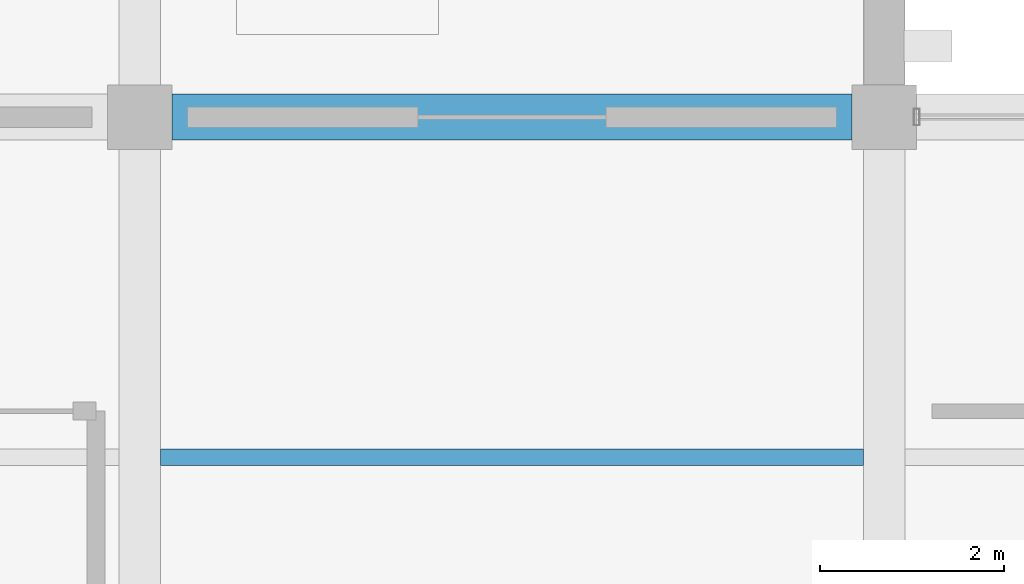
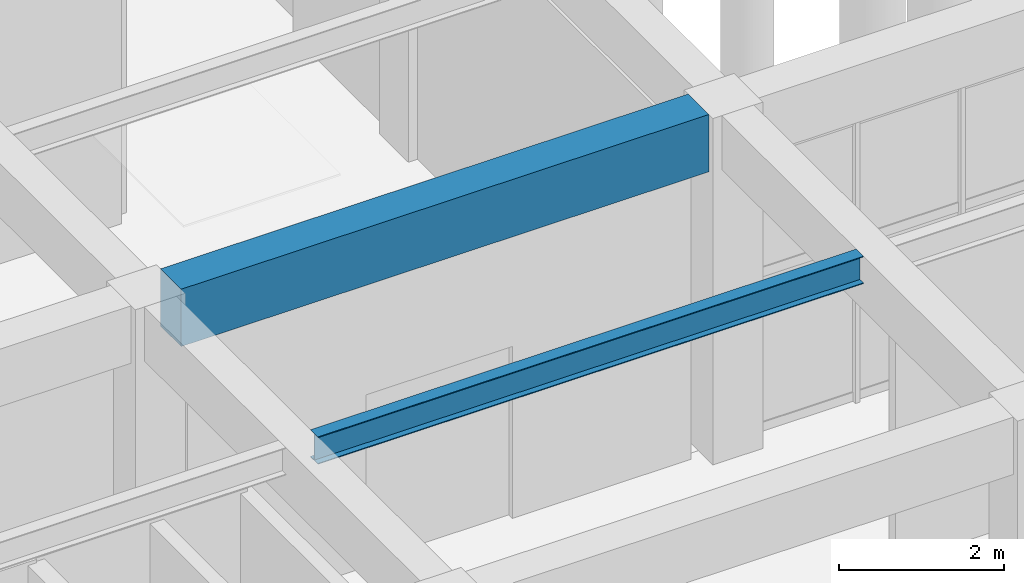
# One storey, part 46 of 140: 2 beams.
"""IFC4 building model written with IfcOpenShell, lengths in metres."""

from ifc_helpers import new_model, si_unit, direction, frame, origin, origin_2d, place, context, subcontext, project, spatial, rectangle, i_section, extrude, material, material_profile, profile_set, type_object, element, save


model = new_model("IFC4")

# Units and contexts
model_context = context("Model", 3, precision=1e-05, world=origin(), true_north=direction((0.0, 1.0)))
body_context = subcontext(model_context, "Body", "Model", "MODEL_VIEW")
ifc_project = project(units=[si_unit("LENGTHUNIT", "METRE"), si_unit("AREAUNIT", "SQUARE_METRE"), si_unit("VOLUMEUNIT", "CUBIC_METRE"), si_unit("PLANEANGLEUNIT", "RADIAN"), si_unit("MASSUNIT", "GRAM", prefix="KILO")], contexts=[model_context])

# Site, building, storey
site_placement = place(None, origin())
site = spatial("IfcSite", under=ifc_project, at=site_placement, CompositionType="ELEMENT")
building_placement = place(site_placement, origin())
building = spatial("IfcBuilding", under=site, at=building_placement, Name="Cimatlan Art Gallery", CompositionType="ELEMENT")
storey_placement = place(building_placement, origin())
storey = spatial("IfcBuildingStorey", under=building, at=storey_placement, Name="L00", CompositionType="ELEMENT", Elevation=0.0)

# Beams
ifc_material_1 = material(Name="Concrete C40/50", Category="concrete")
ifc_material_profile_1 = material_profile(ifc_material_1, rectangle(XDim=0.5, YDim=0.85009765625, at=origin_2d()), Name="RC500X850")
ifc_profile_set_1 = profile_set([ifc_material_profile_1], Name="Concrete C40/50")
beam_type_1 = type_object("IfcBeamType", Name="BM-RC-500X850", PredefinedType="BEAM", material=ifc_profile_set_1)
beam_1_placement = place(storey_placement, frame((123.85009765625, 38.699951171875, 4.7099609375), z_axis=(1.0, 0.0, 0.0), x_axis=(0.0, 1.0, 0.0)))
element("IfcBeam", 1, at=beam_1_placement, inside=storey, type_object=beam_type_1, Name="BM-X-L00-15-05", PredefinedType="BEAM", context=body_context, shape_type="SweptSolid", body=[
    extrude(rectangle(XDim=0.5, YDim=0.85009765625, at=origin_2d()), origin(), (0.0, 0.0, 1.0), 7.39990234375),
])
ifc_material_2 = material(Name="Steel ASTM A992 Grade 50", Category="steel")
ifc_material_profile_2 = material_profile(ifc_material_2, i_section(OverallWidth=0.177978515625, OverallDepth=0.406982421875, WebThickness=0.0078125, FlangeThickness=0.0126953125, at=origin_2d()), Name="W16X40")
ifc_profile_set_2 = profile_set([ifc_material_profile_2], Name="Steel ASTM A992 Grade 50")
beam_type_2 = type_object("IfcBeamType", Name="BM-STL-W16X40", PredefinedType="JOIST", material=ifc_profile_set_2)
beam_2_placement = place(storey_placement, frame((123.72509765625, 35.0, 4.931396484375), z_axis=(1.0, 0.0, 0.0), x_axis=(0.0, 1.0, 0.0)))
element("IfcBeam", 2, at=beam_2_placement, inside=storey, type_object=beam_type_2, Name="JST-L00-15-04", PredefinedType="JOIST", context=body_context, shape_type="SweptSolid", body=[
    extrude(i_section(OverallWidth=0.177978515625, OverallDepth=0.406982421875, WebThickness=0.0078125, FlangeThickness=0.0126953125, at=origin_2d()), origin(), (0.0, 0.0, 1.0), 7.64990234375),
])

save(model, "model.ifc")
